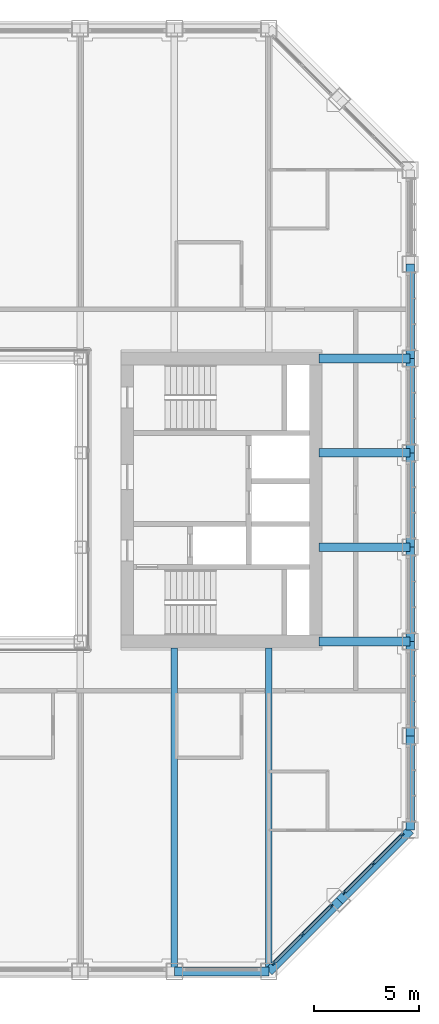
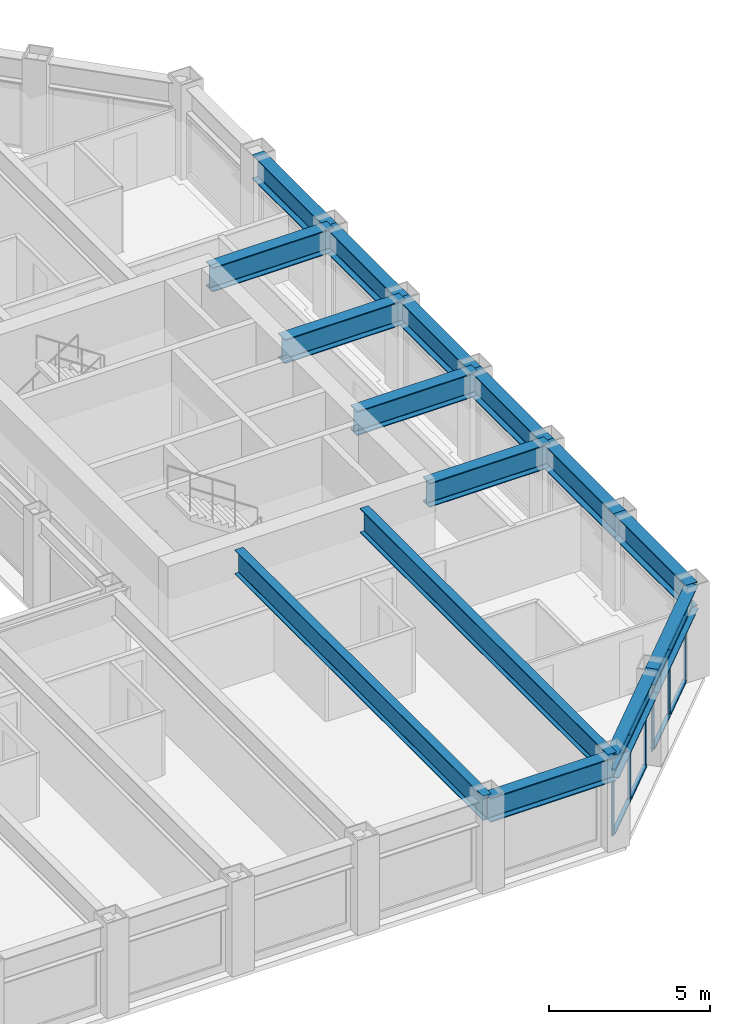
# One storey, part 6 of 17: 15 beams, 14 members, 2 elements without a shape of their own.
"""IFC4 building model written with IfcOpenShell, lengths in metres."""

from ifc_helpers import new_model, si_unit, direction, frame, origin, origin_2d, place, context, subcontext, project, spatial, rectangle, i_section, extrude, material, material_profile, profile_set, type_object, element, aggregate, save


model = new_model("IFC4")

# Units and contexts
model_context = context("Model", 3, precision=1e-05, world=origin(), true_north=direction((0.0, 1.0)))
body_context = subcontext(model_context, "Body", "Model", "MODEL_VIEW")
ifc_project = project(units=[si_unit("LENGTHUNIT", "METRE"), si_unit("AREAUNIT", "SQUARE_METRE"), si_unit("VOLUMEUNIT", "CUBIC_METRE"), si_unit("PLANEANGLEUNIT", "RADIAN"), si_unit("MASSUNIT", "GRAM", prefix="KILO")], contexts=[model_context])

# Site, building, storey
site_placement = place(None, origin())
site = spatial("IfcSite", under=ifc_project, at=site_placement, CompositionType="ELEMENT")
building_placement = place(site_placement, origin())
building = spatial("IfcBuilding", under=site, at=building_placement, Name="Msasa Ring Tower", CompositionType="ELEMENT")
storey_placement = place(building_placement, frame((0.0, 0.0, 165.199951171875)))
storey = spatial("IfcBuildingStorey", under=building, at=storey_placement, Name="L43", CompositionType="ELEMENT", Elevation=165.199951171875)

# Curtain wall, members
ifc_material_1 = material(Name="Aluminium curtain wall with clear glass", Category="aluminium")
curtain_wall_type = type_object("IfcCurtainWallType", Name="CW-C CHAMFER CORNER CURTAIN WALL", PredefinedType="NOTDEFINED", material=ifc_material_1)
curtain_wall_1_placement = place(storey_placement, origin())
curtain_wall_1 = element("IfcCurtainWall", 1, at=curtain_wall_1_placement, inside=storey, type_object=curtain_wall_type, Name="Chamfer corner curtain wall SE L43", PredefinedType="NOTDEFINED")
ifc_material_2 = material(Name="Aluminium mullion", Category="aluminium")
ifc_material_profile_1 = material_profile(ifc_material_2, rectangle(XDim=0.06494140625, YDim=0.179931640625, at=origin_2d()), Name="AL 65x180")
ifc_profile_set_1 = profile_set([ifc_material_profile_1], Name="Aluminium mullion")
member_type_1 = type_object("IfcMemberType", Name="CW-C MULLION 65x180", PredefinedType="MULLION", material=ifc_profile_set_1)
member_1_placement = place(storey_placement, frame((15.98876953125, -22.119873046875, 0.0), z_axis=(0.0, 0.0, 1.0), x_axis=(-0.707106781187, 0.707106781187, 0.0)))
member_1 = element("IfcMember", 2, at=member_1_placement, type_object=member_type_1, Name="CW-C mullion 1", PredefinedType="MULLION", context=body_context, shape_type="SweptSolid", body=[
    extrude(rectangle(XDim=0.06494140625, YDim=0.179931640625, at=origin_2d()), origin(), (0.0, 0.0, 1.0), 2.47900390625),
])
member_2_placement = place(storey_placement, frame((17.36669921875, -20.74169921875, 0.0), z_axis=(0.0, 0.0, 1.0), x_axis=(-0.707106781187, 0.707106781187, 0.0)))
member_2 = element("IfcMember", 3, at=member_2_placement, type_object=member_type_1, Name="CW-C mullion 2", PredefinedType="MULLION", context=body_context, shape_type="SweptSolid", body=[
    extrude(rectangle(XDim=0.06494140625, YDim=0.179931640625, at=origin_2d()), origin(), (0.0, 0.0, 1.0), 2.47900390625),
])
member_3_placement = place(storey_placement, frame((18.744873046875, -19.36376953125, 0.0), z_axis=(0.0, 0.0, 1.0), x_axis=(-0.707106781187, 0.707106781187, 0.0)))
member_3 = element("IfcMember", 4, at=member_3_placement, type_object=member_type_1, Name="CW-C mullion 3", PredefinedType="MULLION", context=body_context, shape_type="SweptSolid", body=[
    extrude(rectangle(XDim=0.06494140625, YDim=0.179931640625, at=origin_2d()), origin(), (0.0, 0.0, 1.0), 2.47900390625),
])

curtain_wall_2_placement = place(storey_placement, origin())
curtain_wall_2 = element("IfcCurtainWall", 5, at=curtain_wall_2_placement, inside=storey, type_object=curtain_wall_type, Name="Chamfer corner curtain wall SE L43", PredefinedType="NOTDEFINED")
member_4_placement = place(storey_placement, frame((19.36376953125, -18.744873046875, 0.0), z_axis=(0.0, 0.0, 1.0), x_axis=(-0.707106781187, 0.707106781187, 0.0)))
member_4 = element("IfcMember", 6, at=member_4_placement, type_object=member_type_1, Name="CW-C mullion 1", PredefinedType="MULLION", context=body_context, shape_type="SweptSolid", body=[
    extrude(rectangle(XDim=0.06494140625, YDim=0.179931640625, at=origin_2d()), origin(), (0.0, 0.0, 1.0), 2.47900390625),
])
member_5_placement = place(storey_placement, frame((20.74169921875, -17.36669921875, 0.0), z_axis=(0.0, 0.0, 1.0), x_axis=(-0.707106781187, 0.707106781187, 0.0)))
member_5 = element("IfcMember", 7, at=member_5_placement, type_object=member_type_1, Name="CW-C mullion 2", PredefinedType="MULLION", context=body_context, shape_type="SweptSolid", body=[
    extrude(rectangle(XDim=0.06494140625, YDim=0.179931640625, at=origin_2d()), origin(), (0.0, 0.0, 1.0), 2.47900390625),
])
member_6_placement = place(storey_placement, frame((22.119873046875, -15.98876953125, 0.0), z_axis=(0.0, 0.0, 1.0), x_axis=(-0.707106781187, 0.707106781187, 0.0)))
member_6 = element("IfcMember", 8, at=member_6_placement, type_object=member_type_1, Name="CW-C mullion 3", PredefinedType="MULLION", context=body_context, shape_type="SweptSolid", body=[
    extrude(rectangle(XDim=0.06494140625, YDim=0.179931640625, at=origin_2d()), origin(), (0.0, 0.0, 1.0), 2.47900390625),
])

# Member
ifc_material_3 = material(Name="Aluminium transom", Category="aluminium")
ifc_material_profile_2 = material_profile(ifc_material_3, rectangle(XDim=0.139892578125, YDim=0.06494140625, at=origin_2d()), Name="AL 65x140")
ifc_profile_set_2 = profile_set([ifc_material_profile_2], Name="Aluminium transom")
member_type_2 = type_object("IfcMemberType", Name="CW-C TRANSOM 65x140", PredefinedType="USERDEFINED", material=ifc_profile_set_2)
member_7_placement = place(storey_placement, frame((16.01171875, -22.096923828125, 0.032470703125), z_axis=(0.707106781187, 0.707106781187, 0.0), x_axis=(-0.707106781187, 0.707106781187, 0.0)))
member_7 = element("IfcMember", 9, at=member_7_placement, type_object=member_type_2, Name="CW-C transom 1.1", ObjectType="TRANSOM", PredefinedType="USERDEFINED", context=body_context, shape_type="SweptSolid", body=[
    extrude(rectangle(XDim=0.139892578125, YDim=0.06494140625, at=origin_2d()), origin(), (0.0, 0.0, 1.0), 1.8837890625),
])

member_8_placement = place(storey_placement, frame((16.01171875, -22.096923828125, 2.446533203125), z_axis=(0.707106781187, 0.707106781187, 0.0), x_axis=(-0.707106781187, 0.707106781187, 0.0)))
member_8 = element("IfcMember", 10, at=member_8_placement, type_object=member_type_2, Name="CW-C transom 1.2", ObjectType="TRANSOM", PredefinedType="USERDEFINED", context=body_context, shape_type="SweptSolid", body=[
    extrude(rectangle(XDim=0.139892578125, YDim=0.06494140625, at=origin_2d()), origin(), (0.0, 0.0, 1.0), 1.8837890625),
])

member_9_placement = place(storey_placement, frame((17.389892578125, -20.71875, 0.032470703125), z_axis=(0.707106781187, 0.707106781187, 0.0), x_axis=(-0.707106781187, 0.707106781187, 0.0)))
member_9 = element("IfcMember", 11, at=member_9_placement, type_object=member_type_2, Name="CW-C transom 2.1", ObjectType="TRANSOM", PredefinedType="USERDEFINED", context=body_context, shape_type="SweptSolid", body=[
    extrude(rectangle(XDim=0.139892578125, YDim=0.06494140625, at=origin_2d()), origin(), (0.0, 0.0, 1.0), 1.8837890625),
])

member_10_placement = place(storey_placement, frame((17.389892578125, -20.71875, 2.446533203125), z_axis=(0.707106781187, 0.707106781187, 0.0), x_axis=(-0.707106781187, 0.707106781187, 0.0)))
member_10 = element("IfcMember", 12, at=member_10_placement, type_object=member_type_2, Name="CW-C transom 2.2", ObjectType="TRANSOM", PredefinedType="USERDEFINED", context=body_context, shape_type="SweptSolid", body=[
    extrude(rectangle(XDim=0.139892578125, YDim=0.06494140625, at=origin_2d()), origin(), (0.0, 0.0, 1.0), 1.8837890625),
])

aggregate(curtain_wall_1, [member_1, member_2, member_3, member_7, member_8, member_9, member_10])

member_11_placement = place(storey_placement, frame((19.38671875, -18.721923828125, 0.032470703125), z_axis=(0.707106781187, 0.707106781187, 0.0), x_axis=(-0.707106781187, 0.707106781187, 0.0)))
member_11 = element("IfcMember", 13, at=member_11_placement, type_object=member_type_2, Name="CW-C transom 1.1", ObjectType="TRANSOM", PredefinedType="USERDEFINED", context=body_context, shape_type="SweptSolid", body=[
    extrude(rectangle(XDim=0.139892578125, YDim=0.06494140625, at=origin_2d()), origin(), (0.0, 0.0, 1.0), 1.8837890625),
])

member_12_placement = place(storey_placement, frame((19.38671875, -18.721923828125, 2.446533203125), z_axis=(0.707106781187, 0.707106781187, 0.0), x_axis=(-0.707106781187, 0.707106781187, 0.0)))
member_12 = element("IfcMember", 14, at=member_12_placement, type_object=member_type_2, Name="CW-C transom 1.2", ObjectType="TRANSOM", PredefinedType="USERDEFINED", context=body_context, shape_type="SweptSolid", body=[
    extrude(rectangle(XDim=0.139892578125, YDim=0.06494140625, at=origin_2d()), origin(), (0.0, 0.0, 1.0), 1.8837890625),
])

member_13_placement = place(storey_placement, frame((20.764892578125, -17.34375, 0.032470703125), z_axis=(0.707106781187, 0.707106781187, 0.0), x_axis=(-0.707106781187, 0.707106781187, 0.0)))
member_13 = element("IfcMember", 15, at=member_13_placement, type_object=member_type_2, Name="CW-C transom 2.1", ObjectType="TRANSOM", PredefinedType="USERDEFINED", context=body_context, shape_type="SweptSolid", body=[
    extrude(rectangle(XDim=0.139892578125, YDim=0.06494140625, at=origin_2d()), origin(), (0.0, 0.0, 1.0), 1.8837890625),
])

member_14_placement = place(storey_placement, frame((20.764892578125, -17.34375, 2.446533203125), z_axis=(0.707106781187, 0.707106781187, 0.0), x_axis=(-0.707106781187, 0.707106781187, 0.0)))
member_14 = element("IfcMember", 16, at=member_14_placement, type_object=member_type_2, Name="CW-C transom 2.2", ObjectType="TRANSOM", PredefinedType="USERDEFINED", context=body_context, shape_type="SweptSolid", body=[
    extrude(rectangle(XDim=0.139892578125, YDim=0.06494140625, at=origin_2d()), origin(), (0.0, 0.0, 1.0), 1.8837890625),
])

aggregate(curtain_wall_2, [member_4, member_5, member_6, member_11, member_12, member_13, member_14])

# Beams
ifc_material_4 = material(Name="Steel S355", Category="steel")
ifc_material_profile_3 = material_profile(ifc_material_4, i_section(OverallWidth=0.42041015625, OverallDepth=0.9208984375, WebThickness=0.021484375, FlangeThickness=0.03662109375, FilletRadius=0.024169921875, at=origin_2d()), Name="UB 914x419x388")
ifc_profile_set_3 = profile_set([ifc_material_profile_3], Name="Steel S355")
beam_type_1 = type_object("IfcBeamType", Name="FB2 UB 914x419x388", PredefinedType="BEAM", material=ifc_profile_set_3)
for number, where, z_axis, x_axis, name in (
    (17, (22.5, -2.25, 2.939453125), (-1.0, 0.0, 0.0), (0.0, -1.0, 0.0), "Floor beam E -2.25 under L44"),
    (18, (22.5, 2.25, 2.939453125), (-1.0, 0.0, 0.0), (0.0, -1.0, 0.0), "Floor beam E +2.25 under L44"),
):
    element("IfcBeam", number, at=place(storey_placement, frame(where, z_axis=z_axis, x_axis=x_axis)), inside=storey, type_object=beam_type_1, Name=name, PredefinedType="BEAM", context=body_context, shape_type="SweptSolid", body=[
        extrude(i_section(OverallWidth=0.42041015625, OverallDepth=0.9208984375, WebThickness=0.021484375, FlangeThickness=0.03662109375, FilletRadius=0.024169921875, at=origin_2d()), origin(), (0.0, 0.0, 1.0), 4.35009765625),
    ])
ifc_material_5 = material(Name="Steel S355", Category="steel")
ifc_material_profile_4 = material_profile(ifc_material_5, i_section(OverallWidth=0.3076171875, OverallDepth=0.926513671875, WebThickness=0.01953125, FlangeThickness=0.031982421875, FilletRadius=0.01904296875, at=origin_2d()), Name="UB 914x305x289")
ifc_profile_set_4 = profile_set([ifc_material_profile_4], Name="Steel S355")
beam_type_2 = type_object("IfcBeamType", Name="FB3 UB 914x305x289", PredefinedType="BEAM", material=ifc_profile_set_4)
for number, where, z_axis, x_axis, name in (
    (19, (11.25, -22.5, 2.936767578125), (0.0, 1.0, 0.0), (-1.0, 0.0, 0.0), "Floor beam S+11.25 under L44"),
    (20, (15.75, -22.5, 2.936767578125), (0.0, 1.0, 0.0), (-1.0, 0.0, 0.0), "Floor beam S+15.75 under L44"),
):
    element("IfcBeam", number, at=place(storey_placement, frame(where, z_axis=z_axis, x_axis=x_axis)), inside=storey, type_object=beam_type_2, Name=name, PredefinedType="BEAM", context=body_context, shape_type="SweptSolid", body=[
        extrude(i_section(OverallWidth=0.3076171875, OverallDepth=0.926513671875, WebThickness=0.01953125, FlangeThickness=0.031982421875, FilletRadius=0.01904296875, at=origin_2d()), origin(), (0.0, 0.0, 1.0), 15.449951171875),
    ])
ifc_material_6 = material(Name="Steel S355", Category="steel")
ifc_material_profile_5 = material_profile(ifc_material_6, i_section(OverallWidth=0.42041015625, OverallDepth=0.9208984375, WebThickness=0.021484375, FlangeThickness=0.03662109375, FilletRadius=0.024169921875, at=origin_2d()), Name="UB 914x419x388")
ifc_profile_set_5 = profile_set([ifc_material_profile_5], Name="Steel S355")
beam_type_3 = type_object("IfcBeamType", Name="GB1 UB 914x419x388", PredefinedType="BEAM", material=ifc_profile_set_5)
for number, where, z_axis, x_axis, name in (
    (21, (18.14990234375, 6.75, 2.939453125), (1.0, 0.0, 0.0), (0.0, 1.0, 0.0), "Girder E +6.75 under L44"),
    (22, (18.14990234375, -6.75, 2.939453125), (1.0, 0.0, 0.0), (0.0, 1.0, 0.0), "Girder E -6.75 under L44"),
):
    element("IfcBeam", number, at=place(storey_placement, frame(where, z_axis=z_axis, x_axis=x_axis)), inside=storey, type_object=beam_type_3, Name=name, PredefinedType="BEAM", context=body_context, shape_type="SweptSolid", body=[
        extrude(i_section(OverallWidth=0.42041015625, OverallDepth=0.9208984375, WebThickness=0.021484375, FlangeThickness=0.03662109375, FilletRadius=0.024169921875, at=origin_2d()), origin(), (0.0, 0.0, 1.0), 4.35009765625),
    ])
ifc_material_7 = material(Name="Steel S355", Category="steel")
ifc_material_profile_6 = material_profile(ifc_material_7, i_section(OverallWidth=0.42041015625, OverallDepth=0.9208984375, WebThickness=0.021484375, FlangeThickness=0.03662109375, FilletRadius=0.024169921875, at=origin_2d()), Name="UB 914x419x388")
ifc_profile_set_6 = profile_set([ifc_material_profile_6], Name="Steel S355")
beam_type_4 = type_object("IfcBeamType", Name="SB1 UB 914x419x388", PredefinedType="SPANDREL", material=ifc_profile_set_6)
beam_placement = place(storey_placement, frame((11.25, -22.5, 2.939453125), z_axis=(1.0, 0.0, 0.0), x_axis=(0.0, 1.0, 0.0)))
element("IfcBeam", 23, at=beam_placement, inside=storey, type_object=beam_type_4, Name="Spandrel S+11.25 to S+15.75 under L44", PredefinedType="SPANDREL", context=body_context, shape_type="SweptSolid", body=[
    extrude(i_section(OverallWidth=0.42041015625, OverallDepth=0.9208984375, WebThickness=0.021484375, FlangeThickness=0.03662109375, FilletRadius=0.024169921875, at=origin_2d()), origin(), (0.0, 0.0, 1.0), 4.5),
])
for number, where, z_axis, x_axis, name in (
    (24, (15.75, -22.5, 2.939453125), (0.707106781187, 0.707106781187, 0.0), (-0.707106781187, 0.707106781187, 0.0), "Spandrel S+15.75 to SE under L44"),
    (25, (19.125, -19.125, 2.939453125), (0.707106781187, 0.707106781187, 0.0), (-0.707106781187, 0.707106781187, 0.0), "Spandrel SE to E-15.75 under L44"),
):
    element("IfcBeam", number, at=place(storey_placement, frame(where, z_axis=z_axis, x_axis=x_axis)), inside=storey, type_object=beam_type_4, Name=name, PredefinedType="SPANDREL", context=body_context, shape_type="SweptSolid", body=[
        extrude(i_section(OverallWidth=0.42041015625, OverallDepth=0.9208984375, WebThickness=0.021484375, FlangeThickness=0.03662109375, FilletRadius=0.024169921875, at=origin_2d()), origin(), (0.0, 0.0, 1.0), 4.77294921875),
    ])
for number, where, z_axis, x_axis, name in (
    (26, (22.5, -15.75, 2.939453125), (0.0, 1.0, 0.0), (-1.0, 0.0, 0.0), "Spandrel E-15.75 to E-11.25 under L44"),
    (27, (22.5, -11.25, 2.939453125), (0.0, 1.0, 0.0), (-1.0, 0.0, 0.0), "Spandrel E-11.25 to E-6.75 under L44"),
    (28, (22.5, -6.75, 2.939453125), (0.0, 1.0, 0.0), (-1.0, 0.0, 0.0), "Spandrel E-6.75 to E-2.25 under L44"),
    (29, (22.5, -2.25, 2.939453125), (0.0, 1.0, 0.0), (-1.0, 0.0, 0.0), "Spandrel E-2.25 to E+2.25 under L44"),
    (30, (22.5, 2.25, 2.939453125), (0.0, 1.0, 0.0), (-1.0, 0.0, 0.0), "Spandrel E+2.25 to E+6.75 under L44"),
    (31, (22.5, 6.75, 2.939453125), (0.0, 1.0, 0.0), (-1.0, 0.0, 0.0), "Spandrel E+6.75 to E+11.25 under L44"),
):
    element("IfcBeam", number, at=place(storey_placement, frame(where, z_axis=z_axis, x_axis=x_axis)), inside=storey, type_object=beam_type_4, Name=name, PredefinedType="SPANDREL", context=body_context, shape_type="SweptSolid", body=[
        extrude(i_section(OverallWidth=0.42041015625, OverallDepth=0.9208984375, WebThickness=0.021484375, FlangeThickness=0.03662109375, FilletRadius=0.024169921875, at=origin_2d()), origin(), (0.0, 0.0, 1.0), 4.5),
    ])

save(model, "model.ifc")
